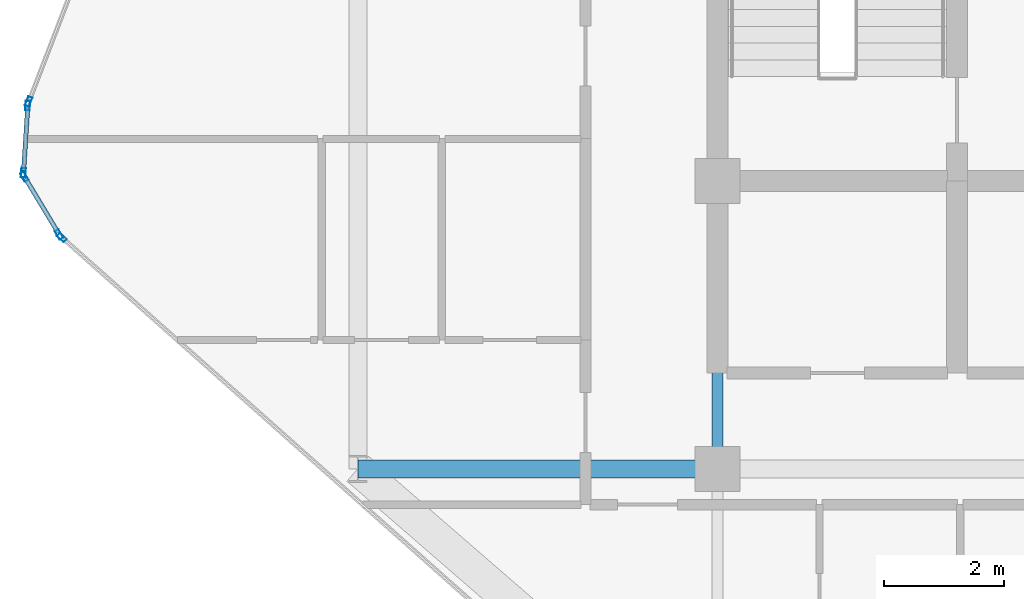
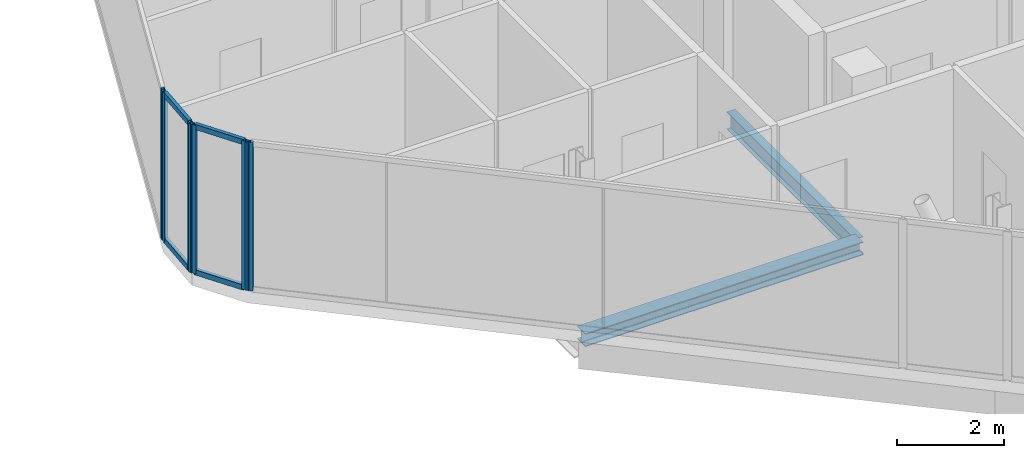
# One storey, part 8 of 29: 10 members, 2 beams, 4 elements without a shape of their own.
"""IFC4 building model written with IfcOpenShell, lengths in metres."""

from ifc_helpers import new_model, si_unit, direction, frame, origin, origin_2d, place, context, subcontext, project, spatial, hollow_rectangle, i_section, extrude, material, layer, layer_set, material_profile, profile_set, type_object, element, aggregate, save


model = new_model("IFC4")

# Units and contexts
model_context = context("Model", 3, precision=1e-05, world=origin(), true_north=direction((0.0, 1.0)))
body_context = subcontext(model_context, "Body", "Model", "MODEL_VIEW")
ifc_project = project(units=[si_unit("LENGTHUNIT", "METRE"), si_unit("AREAUNIT", "SQUARE_METRE"), si_unit("VOLUMEUNIT", "CUBIC_METRE"), si_unit("PLANEANGLEUNIT", "RADIAN"), si_unit("MASSUNIT", "GRAM", prefix="KILO")], contexts=[model_context])

# Site, building, storey
site_placement = place(None, origin())
site = spatial("IfcSite", under=ifc_project, at=site_placement, CompositionType="ELEMENT")
building_placement = place(site_placement, origin())
building = spatial("IfcBuilding", under=site, at=building_placement, Name="Keshet Zoharim Tower", CompositionType="ELEMENT")
storey_placement = place(building_placement, frame((0.0, 0.0, 206.89990234375)))
storey = spatial("IfcBuildingStorey", under=building, at=storey_placement, Name="L51", CompositionType="ELEMENT", Elevation=206.89990234375)

# Beams
ifc_material_1 = material(Name="Steel S355", Category="steel")
ifc_material_profile_1 = material_profile(ifc_material_1, i_section(OverallWidth=0.300048828125, OverallDepth=0.300048828125, WebThickness=0.010986328125, FlangeThickness=0.01904296875, FilletRadius=0.027099609375, at=origin_2d()), Name="HEB300")
ifc_profile_set_1 = profile_set([ifc_material_profile_1], Name="Steel S355")
beam_type_1 = type_object("IfcBeamType", Name="BM-PRI-HB300", PredefinedType="BEAM", material=ifc_profile_set_1)
beam_1_placement = place(storey_placement, frame((9.0, 17.89990234375, -0.4599609375), z_axis=(1.0, 0.0, 0.0), x_axis=(0.0, 1.0, 0.0)))
element("IfcBeam", 1, at=beam_1_placement, inside=storey, type_object=beam_type_1, Name="L51 Primary Girder X-011", PredefinedType="BEAM", context=body_context, shape_type="SweptSolid", body=[
    extrude(i_section(OverallWidth=0.300048828125, OverallDepth=0.300048828125, WebThickness=0.010986328125, FlangeThickness=0.01904296875, FilletRadius=0.027099609375, at=origin_2d()), origin(), (0.0, 0.0, 1.0), 6.0),
])
ifc_material_profile_2 = material_profile(ifc_material_1, i_section(OverallWidth=0.179931640625, OverallDepth=0.39990234375, WebThickness=0.008544921875, FlangeThickness=0.013427734375, FilletRadius=0.02099609375, at=origin_2d()), Name="IPE400")
ifc_profile_set_2 = profile_set([ifc_material_profile_2], Name="Steel S355")
beam_type_2 = type_object("IfcBeamType", Name="BM-PRI-IP400", PredefinedType="BEAM", material=ifc_profile_set_2)
beam_2_placement = place(storey_placement, frame((15.0, 17.89990234375, -0.510009765625), z_axis=(0.0, 1.0, 0.0), x_axis=(-1.0, 0.0, 0.0)))
element("IfcBeam", 2, at=beam_2_placement, inside=storey, type_object=beam_type_2, Name="L51 Primary Girder Y-003", PredefinedType="BEAM", context=body_context, shape_type="SweptSolid", body=[
    extrude(i_section(OverallWidth=0.179931640625, OverallDepth=0.39990234375, WebThickness=0.008544921875, FlangeThickness=0.013427734375, FilletRadius=0.02099609375, at=origin_2d()), origin(), (0.0, 0.0, 1.0), 4.800048828125),
])

# Curtain wall, member
ifc_material_2 = material(Name="Aluminium 6063-T6", Category="aluminium")
ifc_layer = layer(ifc_material_2, 0.139892578125)
ifc_layer_set = layer_set([ifc_layer], Name="Aluminium 6063-T6")
curtain_wall_type = type_object("IfcCurtainWallType", Name="CW-SYS-05", PredefinedType="NOTDEFINED", material=ifc_layer_set)
curtain_wall_1_placement = place(storey_placement, origin())
curtain_wall_1 = element("IfcCurtainWall", 3, at=curtain_wall_1_placement, inside=storey, type_object=curtain_wall_type, Name="L51 Unitised Curtain Wall 10 Part 3", PredefinedType="NOTDEFINED")
ifc_material_profile_3 = material_profile(ifc_material_2, hollow_rectangle(XDim=0.074951171875, YDim=0.159912109375, WallThickness=0.00390625, at=origin_2d()), Name="MUL-75x160")
ifc_profile_set_3 = profile_set([ifc_material_profile_3], Name="Aluminium 6063-T6")
member_type_1 = type_object("IfcMemberType", Name="CWM-M15", PredefinedType="MULLION", material=ifc_profile_set_3)
member_1_placement = place(storey_placement, frame((4.061279296875, 21.7568359375, 0.0), z_axis=(0.0, 0.0, 1.0), x_axis=(-0.664366823013, -0.747406666066, 0.0)))
member_1 = element("IfcMember", 4, at=member_1_placement, type_object=member_type_1, Name="CW-05 mullion 2", PredefinedType="MULLION", context=body_context, shape_type="SweptSolid", body=[
    extrude(hollow_rectangle(XDim=0.074951171875, YDim=0.159912109375, WallThickness=0.00390625, at=origin_2d()), origin(), (0.0, 0.0, 1.0), 3.39013671875),
])
aggregate(curtain_wall_1, [member_1])

# Curtain wall, members
curtain_wall_2_placement = place(storey_placement, origin())
curtain_wall_2 = element("IfcCurtainWall", 5, at=curtain_wall_2_placement, inside=storey, type_object=curtain_wall_type, Name="L51 Unitised Curtain Wall 11", PredefinedType="NOTDEFINED")
member_2_placement = place(storey_placement, frame((4.016845703125, 21.81005859375, 0.0), z_axis=(0.0, 0.0, 1.0), x_axis=(-0.856826433805, -0.515604947933, 0.0)))
member_2 = element("IfcMember", 6, at=member_2_placement, type_object=member_type_1, Name="CW-05 mullion 1", PredefinedType="MULLION", context=body_context, shape_type="SweptSolid", body=[
    extrude(hollow_rectangle(XDim=0.074951171875, YDim=0.159912109375, WallThickness=0.00390625, at=origin_2d()), origin(), (0.0, 0.0, 1.0), 3.39013671875),
])
member_3_placement = place(storey_placement, frame((3.43798828125, 22.77197265625, 0.0), z_axis=(0.0, 0.0, 1.0), x_axis=(-0.856826433805, -0.515604947933, 0.0)))
member_3 = element("IfcMember", 7, at=member_3_placement, type_object=member_type_1, Name="CW-05 mullion 2", PredefinedType="MULLION", context=body_context, shape_type="SweptSolid", body=[
    extrude(hollow_rectangle(XDim=0.074951171875, YDim=0.159912109375, WallThickness=0.00390625, at=origin_2d()), origin(), (0.0, 0.0, 1.0), 3.39013671875),
])

curtain_wall_3_placement = place(storey_placement, origin())
curtain_wall_3 = element("IfcCurtainWall", 8, at=curtain_wall_3_placement, inside=storey, type_object=curtain_wall_type, Name="L51 Unitised Curtain Wall 12", PredefinedType="NOTDEFINED")
member_4_placement = place(storey_placement, frame((3.42236328125, 22.8369140625, 0.0), z_axis=(0.0, 0.0, 1.0), x_axis=(-0.997916617186, 0.064516859374, 0.0)))
member_4 = element("IfcMember", 9, at=member_4_placement, type_object=member_type_1, Name="CW-05 mullion 1", PredefinedType="MULLION", context=body_context, shape_type="SweptSolid", body=[
    extrude(hollow_rectangle(XDim=0.074951171875, YDim=0.159912109375, WallThickness=0.00390625, at=origin_2d()), origin(), (0.0, 0.0, 1.0), 3.39013671875),
])
member_5_placement = place(storey_placement, frame((3.49462890625, 23.9580078125, 0.0), z_axis=(0.0, 0.0, 1.0), x_axis=(-0.997916617186, 0.064516859374, 0.0)))
member_5 = element("IfcMember", 10, at=member_5_placement, type_object=member_type_1, Name="CW-05 mullion 2", PredefinedType="MULLION", context=body_context, shape_type="SweptSolid", body=[
    extrude(hollow_rectangle(XDim=0.074951171875, YDim=0.159912109375, WallThickness=0.00390625, at=origin_2d()), origin(), (0.0, 0.0, 1.0), 3.39013671875),
])

# Curtain wall, member
curtain_wall_4_placement = place(storey_placement, origin())
curtain_wall_4 = element("IfcCurtainWall", 11, at=curtain_wall_4_placement, inside=storey, type_object=curtain_wall_type, Name="L51 Unitised Curtain Wall 13", PredefinedType="NOTDEFINED")
member_6_placement = place(storey_placement, frame((3.509521484375, 24.025634765625, 0.0), z_axis=(0.0, 0.0, 1.0), x_axis=(-0.933341404361, 0.358990003907, 0.0)))
member_6 = element("IfcMember", 12, at=member_6_placement, type_object=member_type_1, Name="CW-05 mullion 1", PredefinedType="MULLION", context=body_context, shape_type="SweptSolid", body=[
    extrude(hollow_rectangle(XDim=0.074951171875, YDim=0.159912109375, WallThickness=0.00390625, at=origin_2d()), origin(), (0.0, 0.0, 1.0), 3.39013671875),
])
aggregate(curtain_wall_4, [member_6])

# Member
ifc_material_profile_4 = material_profile(ifc_material_2, hollow_rectangle(XDim=0.074951171875, YDim=0.1201171875, WallThickness=0.00390625, at=origin_2d()), Name="TRN-75x120")
ifc_profile_set_4 = profile_set([ifc_material_profile_4], Name="Aluminium 6063-T6")
member_type_2 = type_object("IfcMemberType", Name="CWT-T12", PredefinedType="USERDEFINED", material=ifc_profile_set_4)
member_7_placement = place(storey_placement, frame((3.9990234375, 21.840087890625, 0.03515625), z_axis=(-0.515791194107, 0.856714330499, 0.0), x_axis=(-0.856714330499, -0.515791194107, 0.0)))
member_7 = element("IfcMember", 13, at=member_7_placement, type_object=member_type_2, Name="CW-05 transom 1.1", ObjectType="TRANSOM", PredefinedType="USERDEFINED", context=body_context, shape_type="SweptSolid", body=[
    extrude(hollow_rectangle(XDim=0.074951171875, YDim=0.1201171875, WallThickness=0.00390625, at=origin_2d()), origin(), (0.0, 0.0, 1.0), 1.052734375),
])

member_8_placement = place(storey_placement, frame((3.9990234375, 21.840087890625, 3.35498046875), z_axis=(-0.515791194107, 0.856714330499, 0.0), x_axis=(-0.856714330499, -0.515791194107, 0.0)))
member_8 = element("IfcMember", 14, at=member_8_placement, type_object=member_type_2, Name="CW-05 transom 1.2", ObjectType="TRANSOM", PredefinedType="USERDEFINED", context=body_context, shape_type="SweptSolid", body=[
    extrude(hollow_rectangle(XDim=0.074951171875, YDim=0.1201171875, WallThickness=0.00390625, at=origin_2d()), origin(), (0.0, 0.0, 1.0), 1.052734375),
])

aggregate(curtain_wall_2, [member_2, member_3, member_7, member_8])

member_9_placement = place(storey_placement, frame((3.424560546875, 22.871826171875, 0.03515625), z_axis=(0.064426947155, 0.997922426083, 0.0), x_axis=(-0.997922426083, 0.064426947155, 0.0)))
member_9 = element("IfcMember", 15, at=member_9_placement, type_object=member_type_2, Name="CW-05 transom 1.1", ObjectType="TRANSOM", PredefinedType="USERDEFINED", context=body_context, shape_type="SweptSolid", body=[
    extrude(hollow_rectangle(XDim=0.074951171875, YDim=0.1201171875, WallThickness=0.00390625, at=origin_2d()), origin(), (0.0, 0.0, 1.0), 1.053466796875),
])

member_10_placement = place(storey_placement, frame((3.424560546875, 22.871826171875, 3.35498046875), z_axis=(0.064426947155, 0.997922426083, 0.0), x_axis=(-0.997922426083, 0.064426947155, 0.0)))
member_10 = element("IfcMember", 16, at=member_10_placement, type_object=member_type_2, Name="CW-05 transom 1.2", ObjectType="TRANSOM", PredefinedType="USERDEFINED", context=body_context, shape_type="SweptSolid", body=[
    extrude(hollow_rectangle(XDim=0.074951171875, YDim=0.1201171875, WallThickness=0.00390625, at=origin_2d()), origin(), (0.0, 0.0, 1.0), 1.053466796875),
])

aggregate(curtain_wall_3, [member_4, member_5, member_9, member_10])

save(model, "model.ifc")
